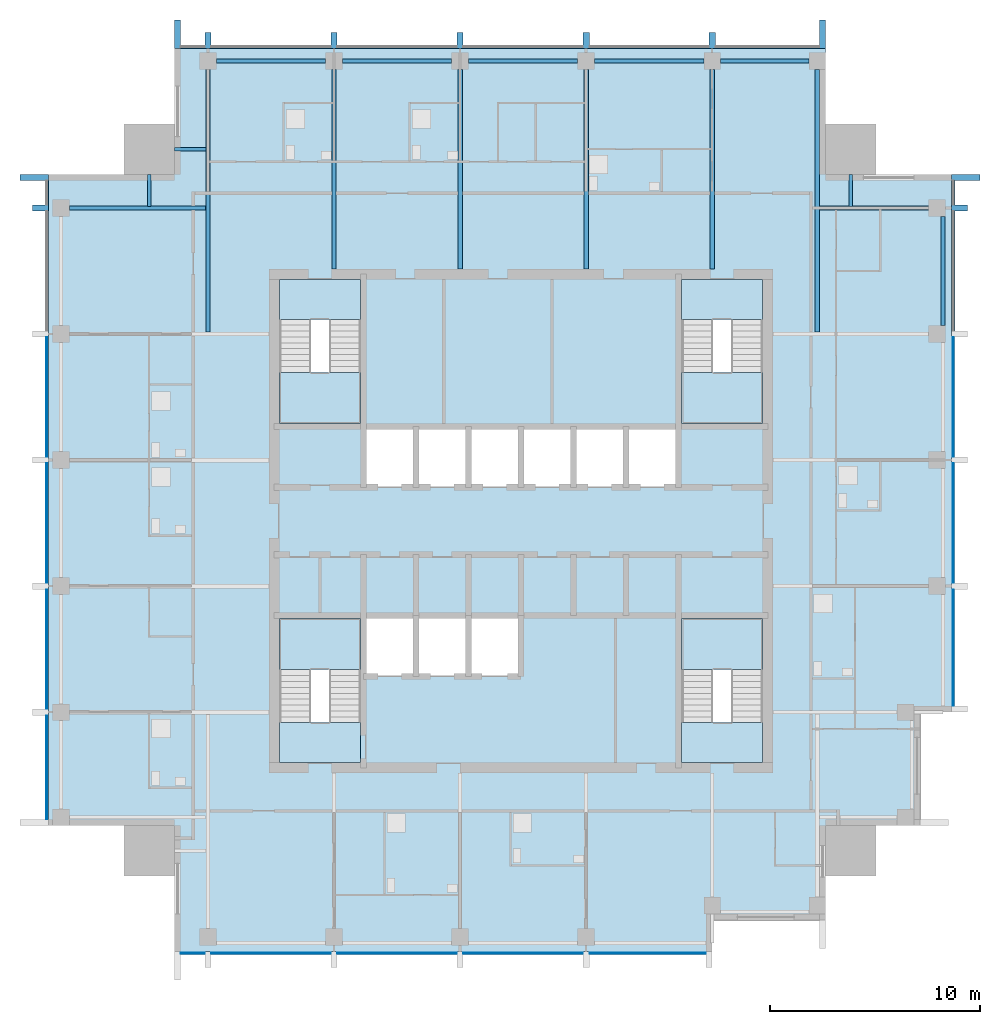
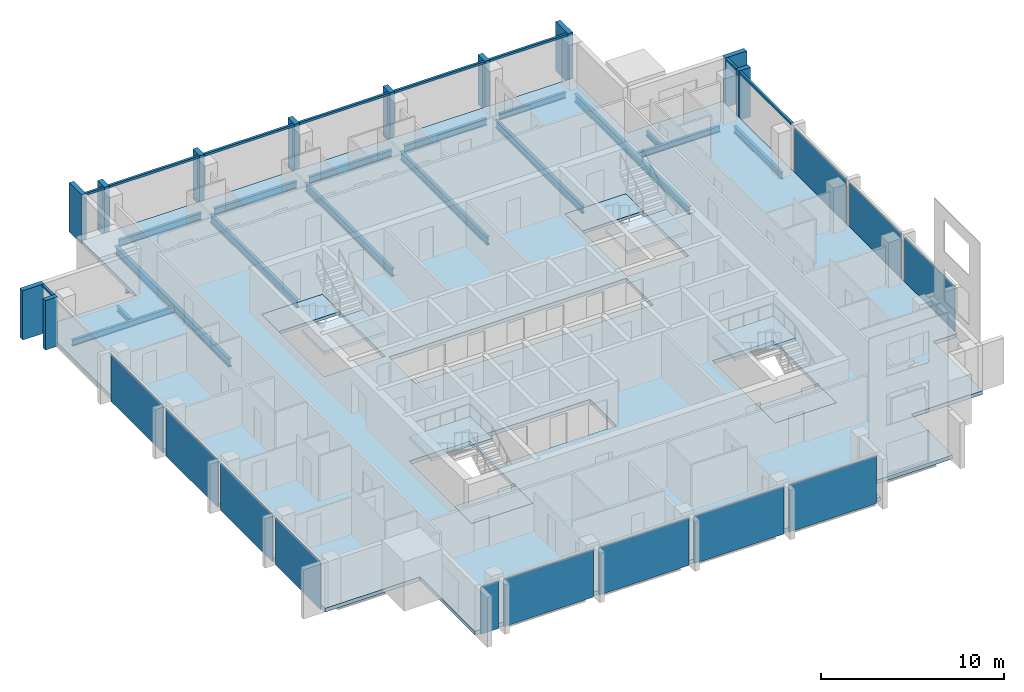
# One storey, part 2 of 9: 20 members, 17 beams, 12 plates, 9 slabs, 8 elements without a shape of their own.
"""IFC4 building model written with IfcOpenShell, lengths in metres."""

from ifc_helpers import new_model, si_unit, direction, frame, origin, origin_2d, place, context, subcontext, project, spatial, polyline, rectangle, i_section, outline, extrude, material, layer, layer_set, material_profile, profile_set, type_object, element, aggregate, save


model = new_model("IFC4")

# Units and contexts
model_context = context("Model", 3, precision=1e-05, world=origin(), true_north=direction((0.0, 1.0)))
body_context = subcontext(model_context, "Body", "Model", "MODEL_VIEW")
ifc_project = project(units=[si_unit("LENGTHUNIT", "METRE"), si_unit("AREAUNIT", "SQUARE_METRE"), si_unit("VOLUMEUNIT", "CUBIC_METRE"), si_unit("PLANEANGLEUNIT", "RADIAN"), si_unit("MASSUNIT", "GRAM", prefix="KILO")], contexts=[model_context])

# Site, building, storey
site_placement = place(None, origin())
site = spatial("IfcSite", under=ifc_project, at=site_placement, CompositionType="ELEMENT")
building_placement = place(site_placement, origin())
building = spatial("IfcBuilding", under=site, at=building_placement, Name="Amberfall Residences", CompositionType="ELEMENT")
storey_placement = place(building_placement, frame((0.0, 0.0, 248.800048828125)))
storey = spatial("IfcBuildingStorey", under=building, at=storey_placement, Name="L66", CompositionType="ELEMENT", Elevation=248.800048828125)

# Curtain wall, members
ifc_material_1 = material(Name="Bronze anodised aluminium and glass", Category="aluminium")
curtain_wall_type = type_object("IfcCurtainWallType", Name="Curtain wall CW1 tower unit", PredefinedType="USERDEFINED", material=ifc_material_1)
curtain_wall_1_placement = place(storey_placement, origin())
curtain_wall_1 = element("IfcCurtainWall", 1, at=curtain_wall_1_placement, inside=storey, type_object=curtain_wall_type, Name="Curtain wall L66 E E3", ObjectType="UNITISED CURTAIN WALL", PredefinedType="USERDEFINED")
ifc_material_2 = material(Name="Bronze anodised aluminium", Category="aluminium")
ifc_material_profile_1 = material_profile(ifc_material_2, rectangle(XDim=0.14990234375, YDim=0.14990234375, at=origin_2d()), Name="CW1 transom 150 x 150 bronze")
ifc_profile_set_1 = profile_set([ifc_material_profile_1], Name="Bronze anodised aluminium")
member_type_1 = type_object("IfcMemberType", Name="CW1 transom 150 x 150 bronze", PredefinedType="USERDEFINED", material=ifc_profile_set_1)
member_1_placement = place(storey_placement, frame((95.074951171875, 54.550048828125, 2.974853515625), z_axis=(0.0, 1.0, 0.0), x_axis=(-1.0, 0.0, 0.0)))
member_1 = element("IfcMember", 2, at=member_1_placement, type_object=member_type_1, Name="CW1 transom 4.1", ObjectType="TRANSOM", PredefinedType="USERDEFINED", context=body_context, shape_type="SweptSolid", body=[
    extrude(rectangle(XDim=0.14990234375, YDim=0.14990234375, at=origin_2d()), origin(), (0.0, 0.0, 1.0), 5.699951171875),
])
member_2_placement = place(storey_placement, frame((95.074951171875, 60.550048828125, 2.974853515625), z_axis=(0.0, 1.0, 0.0), x_axis=(-1.0, 0.0, 0.0)))
member_2 = element("IfcMember", 3, at=member_2_placement, type_object=member_type_1, Name="CW1 transom 5.1", ObjectType="TRANSOM", PredefinedType="USERDEFINED", context=body_context, shape_type="SweptSolid", body=[
    extrude(rectangle(XDim=0.14990234375, YDim=0.14990234375, at=origin_2d()), origin(), (0.0, 0.0, 1.0), 1.14990234375),
])

curtain_wall_2_placement = place(storey_placement, origin())
curtain_wall_2 = element("IfcCurtainWall", 4, at=curtain_wall_2_placement, inside=storey, type_object=curtain_wall_type, Name="Curtain wall L66 N N1", ObjectType="UNITISED CURTAIN WALL", PredefinedType="USERDEFINED")
member_3_placement = place(storey_placement, frame((88.699951171875, 68.074951171875, 2.974853515625), z_axis=(-1.0, 0.0, 0.0), x_axis=(0.0, -1.0, 0.0)))
member_3 = element("IfcMember", 5, at=member_3_placement, type_object=member_type_1, Name="CW1 transom 1.1", ObjectType="TRANSOM", PredefinedType="USERDEFINED", context=body_context, shape_type="SweptSolid", body=[
    extrude(rectangle(XDim=0.14990234375, YDim=0.14990234375, at=origin_2d()), origin(), (0.0, 0.0, 1.0), 4.949951171875),
])
member_4_placement = place(storey_placement, frame((83.449951171875, 68.074951171875, 2.974853515625), z_axis=(-1.0, 0.0, 0.0), x_axis=(0.0, -1.0, 0.0)))
member_4 = element("IfcMember", 6, at=member_4_placement, type_object=member_type_1, Name="CW1 transom 2.1", ObjectType="TRANSOM", PredefinedType="USERDEFINED", context=body_context, shape_type="SweptSolid", body=[
    extrude(rectangle(XDim=0.14990234375, YDim=0.14990234375, at=origin_2d()), origin(), (0.0, 0.0, 1.0), 5.699951171875),
])
member_5_placement = place(storey_placement, frame((77.449951171875, 68.074951171875, 2.974853515625), z_axis=(-1.0, 0.0, 0.0), x_axis=(0.0, -1.0, 0.0)))
member_5 = element("IfcMember", 7, at=member_5_placement, type_object=member_type_1, Name="CW1 transom 3.1", ObjectType="TRANSOM", PredefinedType="USERDEFINED", context=body_context, shape_type="SweptSolid", body=[
    extrude(rectangle(XDim=0.14990234375, YDim=0.14990234375, at=origin_2d()), origin(), (0.0, 0.0, 1.0), 5.699951171875),
])
member_6_placement = place(storey_placement, frame((71.449951171875, 68.074951171875, 2.974853515625), z_axis=(-1.0, 0.0, 0.0), x_axis=(0.0, -1.0, 0.0)))
member_6 = element("IfcMember", 8, at=member_6_placement, type_object=member_type_1, Name="CW1 transom 4.1", ObjectType="TRANSOM", PredefinedType="USERDEFINED", context=body_context, shape_type="SweptSolid", body=[
    extrude(rectangle(XDim=0.14990234375, YDim=0.14990234375, at=origin_2d()), origin(), (0.0, 0.0, 1.0), 5.699951171875),
])
member_7_placement = place(storey_placement, frame((65.449951171875, 68.074951171875, 2.974853515625), z_axis=(-1.0, 0.0, 0.0), x_axis=(0.0, -1.0, 0.0)))
member_7 = element("IfcMember", 9, at=member_7_placement, type_object=member_type_1, Name="CW1 transom 5.1", ObjectType="TRANSOM", PredefinedType="USERDEFINED", context=body_context, shape_type="SweptSolid", body=[
    extrude(rectangle(XDim=0.14990234375, YDim=0.14990234375, at=origin_2d()), origin(), (0.0, 0.0, 1.0), 5.699951171875),
])
member_8_placement = place(storey_placement, frame((59.449951171875, 68.074951171875, 2.974853515625), z_axis=(-1.0, 0.0, 0.0), x_axis=(0.0, -1.0, 0.0)))
member_8 = element("IfcMember", 10, at=member_8_placement, type_object=member_type_1, Name="CW1 transom 6.1", ObjectType="TRANSOM", PredefinedType="USERDEFINED", context=body_context, shape_type="SweptSolid", body=[
    extrude(rectangle(XDim=0.14990234375, YDim=0.14990234375, at=origin_2d()), origin(), (0.0, 0.0, 1.0), 1.14990234375),
])

# Curtain wall, member
curtain_wall_3_placement = place(storey_placement, origin())
curtain_wall_3 = element("IfcCurtainWall", 11, at=curtain_wall_3_placement, inside=storey, type_object=curtain_wall_type, Name="Curtain wall L66 W W1", ObjectType="UNITISED CURTAIN WALL", PredefinedType="USERDEFINED")
member_9_placement = place(storey_placement, frame((51.925048828125, 61.699951171875, 2.974853515625), z_axis=(0.0, -1.0, 0.0), x_axis=(1.0, 0.0, 0.0)))
member_9 = element("IfcMember", 12, at=member_9_placement, type_object=member_type_1, Name="CW1 transom 1.1", ObjectType="TRANSOM", PredefinedType="USERDEFINED", context=body_context, shape_type="SweptSolid", body=[
    extrude(rectangle(XDim=0.14990234375, YDim=0.14990234375, at=origin_2d()), origin(), (0.0, 0.0, 1.0), 1.14990234375),
])

# Member
ifc_material_profile_2 = material_profile(ifc_material_2, rectangle(XDim=1.35009765625, YDim=0.300048828125, at=origin_2d()), Name="Corner fin 300 x 1350 bronze")
ifc_profile_set_2 = profile_set([ifc_material_profile_2], Name="Bronze anodised aluminium")
member_type_2 = type_object("IfcMemberType", Name="Corner fin 300 x 1350 bronze", PredefinedType="MULLION", material=ifc_profile_set_2)
member_10_placement = place(storey_placement, frame((95.675048828125, 61.85009765625, -0.25), z_axis=(0.0, 0.0, 1.0), x_axis=(-1.0, 0.0, 0.0)))
member_10 = element("IfcMember", 13, at=member_10_placement, type_object=member_type_2, Name="CW FIN 6", PredefinedType="MULLION", context=body_context, shape_type="SweptSolid", body=[
    extrude(rectangle(XDim=1.35009765625, YDim=0.300048828125, at=origin_2d()), origin(), (0.0, 0.0, 1.0), 3.300048828125),
])

member_11_placement = place(storey_placement, frame((88.85009765625, 68.675048828125, -0.25), z_axis=(0.0, 0.0, 1.0), x_axis=(0.0, -1.0, 0.0)))
member_11 = element("IfcMember", 14, at=member_11_placement, type_object=member_type_2, Name="CW FIN 1", PredefinedType="MULLION", context=body_context, shape_type="SweptSolid", body=[
    extrude(rectangle(XDim=1.35009765625, YDim=0.300048828125, at=origin_2d()), origin(), (0.0, 0.0, 1.0), 3.300048828125),
])

member_12_placement = place(storey_placement, frame((58.14990234375, 68.675048828125, -0.25), z_axis=(0.0, 0.0, 1.0), x_axis=(0.0, -1.0, 0.0)))
member_12 = element("IfcMember", 15, at=member_12_placement, type_object=member_type_2, Name="CW FIN 7", PredefinedType="MULLION", context=body_context, shape_type="SweptSolid", body=[
    extrude(rectangle(XDim=1.35009765625, YDim=0.300048828125, at=origin_2d()), origin(), (0.0, 0.0, 1.0), 3.300048828125),
])

member_13_placement = place(storey_placement, frame((51.324951171875, 61.85009765625, -0.25), z_axis=(0.0, 0.0, 1.0), x_axis=(1.0, 0.0, 0.0)))
member_13 = element("IfcMember", 16, at=member_13_placement, type_object=member_type_2, Name="CW FIN 1", PredefinedType="MULLION", context=body_context, shape_type="SweptSolid", body=[
    extrude(rectangle(XDim=1.35009765625, YDim=0.300048828125, at=origin_2d()), origin(), (0.0, 0.0, 1.0), 3.300048828125),
])

# Beams
ifc_material_3 = material(Name="Steel S355", Category="steel")
ifc_material_profile_3 = material_profile(ifc_material_3, i_section(OverallWidth=0.177734375, OverallDepth=0.402587890625, WebThickness=0.0078125, FlangeThickness=0.010986328125, FilletRadius=0.01025390625, at=origin_2d()), Name="UB 406x178x54")
ifc_profile_set_3 = profile_set([ifc_material_profile_3], Name="Steel S355")
beam_type_1 = type_object("IfcBeamType", Name="Edge beam UB 406x178x54", PredefinedType="SPANDREL", material=ifc_profile_set_3)
beam_1_placement = place(storey_placement, frame((84.0, 67.39990234375, -0.451416015625), z_axis=(1.0, 0.0, 0.0), x_axis=(0.0, 1.0, 0.0)))
element("IfcBeam", 17, at=beam_1_placement, inside=storey, type_object=beam_type_1, Name="Edge beam B14 L66 29", PredefinedType="SPANDREL", context=body_context, shape_type="SweptSolid", body=[
    extrude(i_section(OverallWidth=0.177734375, OverallDepth=0.402587890625, WebThickness=0.0078125, FlangeThickness=0.010986328125, FilletRadius=0.01025390625, at=origin_2d()), origin(), (0.0, 0.0, 1.0), 4.199951171875),
])
ifc_material_profile_4 = material_profile(ifc_material_3, i_section(OverallWidth=0.18994140625, OverallDepth=0.453369140625, WebThickness=0.008544921875, FlangeThickness=0.0126953125, FilletRadius=0.01025390625, at=origin_2d()), Name="UB 457x191x67")
ifc_profile_set_4 = profile_set([ifc_material_profile_4], Name="Steel S355")
beam_type_2 = type_object("IfcBeamType", Name="Edge beam UB 457x191x67", PredefinedType="SPANDREL", material=ifc_profile_set_4)
for number, where, z_axis, x_axis, name in (
    (18, (94.60009765625, 54.800048828125, -0.476806640625), (0.0, 1.0, 0.0), (-1.0, 0.0, 0.0), "Edge beam B1 L66 17"),
    (19, (60.0, 67.39990234375, -0.476806640625), (1.0, 0.0, 0.0), (0.0, 1.0, 0.0), "Edge beam B1 L66 25"),
    (20, (66.0, 67.39990234375, -0.476806640625), (1.0, 0.0, 0.0), (0.0, 1.0, 0.0), "Edge beam B1 L66 26"),
    (21, (72.0, 67.39990234375, -0.476806640625), (1.0, 0.0, 0.0), (0.0, 1.0, 0.0), "Edge beam B1 L66 27"),
    (22, (78.0, 67.39990234375, -0.476806640625), (1.0, 0.0, 0.0), (0.0, 1.0, 0.0), "Edge beam B1 L66 28"),
):
    element("IfcBeam", number, at=place(storey_placement, frame(where, z_axis=z_axis, x_axis=x_axis)), inside=storey, type_object=beam_type_2, Name=name, PredefinedType="SPANDREL", context=body_context, shape_type="SweptSolid", body=[
        extrude(i_section(OverallWidth=0.18994140625, OverallDepth=0.453369140625, WebThickness=0.008544921875, FlangeThickness=0.0126953125, FilletRadius=0.01025390625, at=origin_2d()), origin(), (0.0, 0.0, 1.0), 5.199951171875),
    ])

# Member
ifc_material_profile_5 = material_profile(ifc_material_2, rectangle(XDim=0.75, YDim=0.300048828125, at=origin_2d()), Name="Fin 300 x 750 bronze")
ifc_profile_set_5 = profile_set([ifc_material_profile_5], Name="Bronze anodised aluminium")
member_type_3 = type_object("IfcMemberType", Name="Fin 300 x 750 bronze", PredefinedType="MULLION", material=ifc_profile_set_5)
member_14_placement = place(storey_placement, frame((95.375, 60.39990234375, -0.25), z_axis=(0.0, 0.0, 1.0), x_axis=(-1.0, 0.0, 0.0)))
member_14 = element("IfcMember", 23, at=member_14_placement, type_object=member_type_3, Name="CW FIN 5", PredefinedType="MULLION", context=body_context, shape_type="SweptSolid", body=[
    extrude(rectangle(XDim=0.75, YDim=0.300048828125, at=origin_2d()), origin(), (0.0, 0.0, 1.0), 3.300048828125),
])

member_15_placement = place(storey_placement, frame((83.60009765625, 68.375, -0.25), z_axis=(0.0, 0.0, 1.0), x_axis=(0.0, -1.0, 0.0)))
member_15 = element("IfcMember", 24, at=member_15_placement, type_object=member_type_3, Name="CW FIN 2", PredefinedType="MULLION", context=body_context, shape_type="SweptSolid", body=[
    extrude(rectangle(XDim=0.75, YDim=0.300048828125, at=origin_2d()), origin(), (0.0, 0.0, 1.0), 3.300048828125),
])

member_16_placement = place(storey_placement, frame((77.60009765625, 68.375, -0.25), z_axis=(0.0, 0.0, 1.0), x_axis=(0.0, -1.0, 0.0)))
member_16 = element("IfcMember", 25, at=member_16_placement, type_object=member_type_3, Name="CW FIN 3", PredefinedType="MULLION", context=body_context, shape_type="SweptSolid", body=[
    extrude(rectangle(XDim=0.75, YDim=0.300048828125, at=origin_2d()), origin(), (0.0, 0.0, 1.0), 3.300048828125),
])

member_17_placement = place(storey_placement, frame((71.60009765625, 68.375, -0.25), z_axis=(0.0, 0.0, 1.0), x_axis=(0.0, -1.0, 0.0)))
member_17 = element("IfcMember", 26, at=member_17_placement, type_object=member_type_3, Name="CW FIN 4", PredefinedType="MULLION", context=body_context, shape_type="SweptSolid", body=[
    extrude(rectangle(XDim=0.75, YDim=0.300048828125, at=origin_2d()), origin(), (0.0, 0.0, 1.0), 3.300048828125),
])

member_18_placement = place(storey_placement, frame((65.60009765625, 68.375, -0.25), z_axis=(0.0, 0.0, 1.0), x_axis=(0.0, -1.0, 0.0)))
member_18 = element("IfcMember", 27, at=member_18_placement, type_object=member_type_3, Name="CW FIN 5", PredefinedType="MULLION", context=body_context, shape_type="SweptSolid", body=[
    extrude(rectangle(XDim=0.75, YDim=0.300048828125, at=origin_2d()), origin(), (0.0, 0.0, 1.0), 3.300048828125),
])

member_19_placement = place(storey_placement, frame((59.60009765625, 68.375, -0.25), z_axis=(0.0, 0.0, 1.0), x_axis=(0.0, -1.0, 0.0)))
member_19 = element("IfcMember", 28, at=member_19_placement, type_object=member_type_3, Name="CW FIN 6", PredefinedType="MULLION", context=body_context, shape_type="SweptSolid", body=[
    extrude(rectangle(XDim=0.75, YDim=0.300048828125, at=origin_2d()), origin(), (0.0, 0.0, 1.0), 3.300048828125),
])

aggregate(curtain_wall_2, [member_11, member_15, member_16, member_17, member_18, member_19, member_12, member_3, member_4, member_5, member_6, member_7, member_8])

member_20_placement = place(storey_placement, frame((51.625, 60.39990234375, -0.25), z_axis=(0.0, 0.0, 1.0), x_axis=(1.0, 0.0, 0.0)))
member_20 = element("IfcMember", 29, at=member_20_placement, type_object=member_type_3, Name="CW FIN 2", PredefinedType="MULLION", context=body_context, shape_type="SweptSolid", body=[
    extrude(rectangle(XDim=0.75, YDim=0.300048828125, at=origin_2d()), origin(), (0.0, 0.0, 1.0), 3.300048828125),
])

# Beams
ifc_material_profile_6 = material_profile(ifc_material_3, i_section(OverallWidth=0.177734375, OverallDepth=0.402587890625, WebThickness=0.0078125, FlangeThickness=0.010986328125, FilletRadius=0.01025390625, at=origin_2d()), Name="UB 406x178x54")
ifc_profile_set_6 = profile_set([ifc_material_profile_6], Name="Steel S355")
beam_type_3 = type_object("IfcBeamType", Name="Floor girder UB 406x178x54", PredefinedType="BEAM", material=ifc_profile_set_6)
beam_2_placement = place(storey_placement, frame((93.89990234375, 60.39990234375, -0.451416015625), z_axis=(-1.0, 0.0, 0.0), x_axis=(0.0, -1.0, 0.0)))
element("IfcBeam", 30, at=beam_2_placement, inside=storey, type_object=beam_type_3, Name="Floor girder B4 L66 24", PredefinedType="BEAM", context=body_context, shape_type="SweptSolid", body=[
    extrude(i_section(OverallWidth=0.177734375, OverallDepth=0.402587890625, WebThickness=0.0078125, FlangeThickness=0.010986328125, FilletRadius=0.01025390625, at=origin_2d()), origin(), (0.0, 0.0, 1.0), 5.179931640625),
])
beam_3_placement = place(storey_placement, frame((53.0, 60.39990234375, -0.451416015625), z_axis=(1.0, 0.0, 0.0), x_axis=(0.0, 1.0, 0.0)))
element("IfcBeam", 31, at=beam_3_placement, inside=storey, type_object=beam_type_3, Name="Floor girder B4 L66 46", PredefinedType="BEAM", context=body_context, shape_type="SweptSolid", body=[
    extrude(i_section(OverallWidth=0.177734375, OverallDepth=0.402587890625, WebThickness=0.0078125, FlangeThickness=0.010986328125, FilletRadius=0.01025390625, at=origin_2d()), origin(), (0.0, 0.0, 1.0), 6.47998046875),
])
ifc_material_profile_7 = material_profile(ifc_material_3, i_section(OverallWidth=0.210693359375, OverallDepth=0.53955078125, WebThickness=0.01171875, FlangeThickness=0.018798828125, FilletRadius=0.0126953125, at=origin_2d()), Name="UB 533x210x109")
ifc_profile_set_7 = profile_set([ifc_material_profile_7], Name="Steel S355")
beam_type_4 = type_object("IfcBeamType", Name="Floor girder UB 533x210x109", PredefinedType="BEAM", material=ifc_profile_set_7)
beam_4_placement = place(storey_placement, frame((59.60009765625, 67.0, -0.519775390625), z_axis=(0.0, -1.0, 0.0), x_axis=(1.0, 0.0, 0.0)))
element("IfcBeam", 32, at=beam_4_placement, inside=storey, type_object=beam_type_4, Name="Floor girder B2 L66 30", PredefinedType="BEAM", context=body_context, shape_type="SweptSolid", body=[
    extrude(i_section(OverallWidth=0.210693359375, OverallDepth=0.53955078125, WebThickness=0.01171875, FlangeThickness=0.018798828125, FilletRadius=0.0126953125, at=origin_2d()), origin(), (0.0, 0.0, 1.0), 12.50048828125),
])
beam_5_placement = place(storey_placement, frame((88.60009765625, 67.0, -0.519775390625), z_axis=(0.0, -1.0, 0.0), x_axis=(1.0, 0.0, 0.0)))
element("IfcBeam", 33, at=beam_5_placement, inside=storey, type_object=beam_type_4, Name="Floor girder B2 L66 35", PredefinedType="BEAM", context=body_context, shape_type="SweptSolid", body=[
    extrude(i_section(OverallWidth=0.210693359375, OverallDepth=0.53955078125, WebThickness=0.01171875, FlangeThickness=0.018798828125, FilletRadius=0.0126953125, at=origin_2d()), origin(), (0.0, 0.0, 1.0), 12.509521484375),
])
ifc_material_profile_8 = material_profile(ifc_material_3, i_section(OverallWidth=0.209228515625, OverallDepth=0.533203125, WebThickness=0.010009765625, FlangeThickness=0.015625, FilletRadius=0.0126953125, at=origin_2d()), Name="UB 533x210x92")
ifc_profile_set_8 = profile_set([ifc_material_profile_8], Name="Steel S355")
beam_type_5 = type_object("IfcBeamType", Name="Floor girder UB 533x210x92", PredefinedType="BEAM", material=ifc_profile_set_8)
for number, where, z_axis, x_axis, name in (
    (34, (65.60009765625, 67.0, -0.5166015625), (0.0, -1.0, 0.0), (1.0, 0.0, 0.0), "Floor girder B3 L66 31"),
    (35, (71.60009765625, 67.0, -0.5166015625), (0.0, -1.0, 0.0), (1.0, 0.0, 0.0), "Floor girder B3 L66 32"),
    (36, (77.60009765625, 67.0, -0.5166015625), (0.0, -1.0, 0.0), (1.0, 0.0, 0.0), "Floor girder B3 L66 33"),
    (37, (83.60009765625, 67.0, -0.5166015625), (0.0, -1.0, 0.0), (1.0, 0.0, 0.0), "Floor girder B3 L66 34"),
):
    element("IfcBeam", number, at=place(storey_placement, frame(where, z_axis=z_axis, x_axis=x_axis)), inside=storey, type_object=beam_type_5, Name=name, PredefinedType="BEAM", context=body_context, shape_type="SweptSolid", body=[
        extrude(i_section(OverallWidth=0.209228515625, OverallDepth=0.533203125, WebThickness=0.010009765625, FlangeThickness=0.015625, FilletRadius=0.0126953125, at=origin_2d()), origin(), (0.0, 0.0, 1.0), 9.5),
    ])
ifc_material_profile_9 = material_profile(ifc_material_3, i_section(OverallWidth=0.171142578125, OverallDepth=0.351318359375, WebThickness=0.007080078125, FlangeThickness=0.009765625, FilletRadius=0.01025390625, at=origin_2d()), Name="UB 356x171x45")
ifc_profile_set_9 = profile_set([ifc_material_profile_9], Name="Steel S355")
beam_type_6 = type_object("IfcBeamType", Name="Link beam UB 356x171x45", PredefinedType="BEAM", material=ifc_profile_set_9)
beam_6_placement = place(storey_placement, frame((90.199951171875, 62.0, -0.42578125), z_axis=(0.0, -1.0, 0.0), x_axis=(1.0, 0.0, 0.0)))
element("IfcBeam", 38, at=beam_6_placement, inside=storey, type_object=beam_type_6, Name="Link beam B7 L66 48", PredefinedType="BEAM", context=body_context, shape_type="SweptSolid", body=[
    extrude(i_section(OverallWidth=0.171142578125, OverallDepth=0.351318359375, WebThickness=0.007080078125, FlangeThickness=0.009765625, FilletRadius=0.01025390625, at=origin_2d()), origin(), (0.0, 0.0, 1.0), 1.52099609375),
])
beam_7_placement = place(storey_placement, frame((58.0, 63.199951171875, -0.42578125), z_axis=(1.0, 0.0, 0.0), x_axis=(0.0, 1.0, 0.0)))
element("IfcBeam", 39, at=beam_7_placement, inside=storey, type_object=beam_type_6, Name="Link beam B7 L66 49", PredefinedType="BEAM", context=body_context, shape_type="SweptSolid", body=[
    extrude(i_section(OverallWidth=0.171142578125, OverallDepth=0.351318359375, WebThickness=0.007080078125, FlangeThickness=0.009765625, FilletRadius=0.01025390625, at=origin_2d()), origin(), (0.0, 0.0, 1.0), 1.504638671875),
])
beam_8_placement = place(storey_placement, frame((56.800048828125, 62.0, -0.42578125), z_axis=(0.0, -1.0, 0.0), x_axis=(1.0, 0.0, 0.0)))
element("IfcBeam", 40, at=beam_8_placement, inside=storey, type_object=beam_type_6, Name="Link beam B7 L66 50", PredefinedType="BEAM", context=body_context, shape_type="SweptSolid", body=[
    extrude(i_section(OverallWidth=0.171142578125, OverallDepth=0.351318359375, WebThickness=0.007080078125, FlangeThickness=0.009765625, FilletRadius=0.01025390625, at=origin_2d()), origin(), (0.0, 0.0, 1.0), 1.52099609375),
])

# Curtain wall, plates
curtain_wall_4_placement = place(storey_placement, origin())
curtain_wall_4 = element("IfcCurtainWall", 41, at=curtain_wall_4_placement, inside=storey, type_object=curtain_wall_type, Name="Curtain wall L66 S S1", ObjectType="UNITISED CURTAIN WALL", PredefinedType="USERDEFINED")
ifc_material_4 = material(Name="Tinted double glazed unit", Category="glass")
ifc_layer_1 = layer(ifc_material_4, 0.035888671875)
ifc_layer_set_1 = layer_set([ifc_layer_1], Name="CW1 panel 36 glazing")
plate_type = type_object("IfcPlateType", Name="CW1 panel 36 glazing", PredefinedType="CURTAIN_PANEL", material=ifc_layer_set_1)
plate_1_placement = place(storey_placement, frame((58.875, 24.925048828125, -0.25), z_axis=(0.0, 0.0, 1.0), x_axis=(1.0, 0.0, 0.0)))
plate_1 = element("IfcPlate", 42, at=plate_1_placement, type_object=plate_type, Name="CW1 panel 1.1", PredefinedType="CURTAIN_PANEL", context=body_context, shape_type="SweptSolid", body=[
    extrude(rectangle(XDim=1.1259765625, YDim=0.035888671875, at=origin_2d()), origin(), (0.0, 0.0, 1.0), 3.14990234375),
])
plate_2_placement = place(storey_placement, frame((62.60009765625, 24.925048828125, -0.25), z_axis=(0.0, 0.0, 1.0), x_axis=(1.0, 0.0, 0.0)))
plate_2 = element("IfcPlate", 43, at=plate_2_placement, type_object=plate_type, Name="CW1 panel 2.1", PredefinedType="CURTAIN_PANEL", context=body_context, shape_type="SweptSolid", body=[
    extrude(rectangle(XDim=5.676025390625, YDim=0.035888671875, at=origin_2d()), origin(), (0.0, 0.0, 1.0), 3.14990234375),
])
plate_3_placement = place(storey_placement, frame((68.60009765625, 24.925048828125, -0.25), z_axis=(0.0, 0.0, 1.0), x_axis=(1.0, 0.0, 0.0)))
plate_3 = element("IfcPlate", 44, at=plate_3_placement, type_object=plate_type, Name="CW1 panel 3.1", PredefinedType="CURTAIN_PANEL", context=body_context, shape_type="SweptSolid", body=[
    extrude(rectangle(XDim=5.676025390625, YDim=0.035888671875, at=origin_2d()), origin(), (0.0, 0.0, 1.0), 3.14990234375),
])
plate_4_placement = place(storey_placement, frame((74.60009765625, 24.925048828125, -0.25), z_axis=(0.0, 0.0, 1.0), x_axis=(1.0, 0.0, 0.0)))
plate_4 = element("IfcPlate", 45, at=plate_4_placement, type_object=plate_type, Name="CW1 panel 4.1", PredefinedType="CURTAIN_PANEL", context=body_context, shape_type="SweptSolid", body=[
    extrude(rectangle(XDim=5.676025390625, YDim=0.035888671875, at=origin_2d()), origin(), (0.0, 0.0, 1.0), 3.14990234375),
])
plate_5_placement = place(storey_placement, frame((80.52490234375, 24.925048828125, -0.25), z_axis=(0.0, 0.0, 1.0), x_axis=(1.0, 0.0, 0.0)))
plate_5 = element("IfcPlate", 46, at=plate_5_placement, type_object=plate_type, Name="CW1 panel 5.1", PredefinedType="CURTAIN_PANEL", context=body_context, shape_type="SweptSolid", body=[
    extrude(rectangle(XDim=5.52587890625, YDim=0.035888671875, at=origin_2d()), origin(), (0.0, 0.0, 1.0), 3.14990234375),
])
aggregate(curtain_wall_4, [plate_1, plate_2, plate_3, plate_4, plate_5])

# Plate
plate_6_placement = place(storey_placement, frame((95.074951171875, 39.47509765625, -0.25), z_axis=(0.0, 0.0, 1.0), x_axis=(0.0, 1.0, 0.0)))
plate_6 = element("IfcPlate", 47, at=plate_6_placement, type_object=plate_type, Name="CW1 panel 1.1", PredefinedType="CURTAIN_PANEL", context=body_context, shape_type="SweptSolid", body=[
    extrude(rectangle(XDim=5.52587890625, YDim=0.035888671875, at=origin_2d()), origin(), (0.0, 0.0, 1.0), 3.14990234375),
])

plate_7_placement = place(storey_placement, frame((95.074951171875, 45.39990234375, -0.25), z_axis=(0.0, 0.0, 1.0), x_axis=(0.0, 1.0, 0.0)))
plate_7 = element("IfcPlate", 48, at=plate_7_placement, type_object=plate_type, Name="CW1 panel 2.1", PredefinedType="CURTAIN_PANEL", context=body_context, shape_type="SweptSolid", body=[
    extrude(rectangle(XDim=5.676025390625, YDim=0.035888671875, at=origin_2d()), origin(), (0.0, 0.0, 1.0), 3.14990234375),
])

plate_8_placement = place(storey_placement, frame((95.074951171875, 51.39990234375, -0.25), z_axis=(0.0, 0.0, 1.0), x_axis=(0.0, 1.0, 0.0)))
plate_8 = element("IfcPlate", 49, at=plate_8_placement, type_object=plate_type, Name="CW1 panel 3.1", PredefinedType="CURTAIN_PANEL", context=body_context, shape_type="SweptSolid", body=[
    extrude(rectangle(XDim=5.676025390625, YDim=0.035888671875, at=origin_2d()), origin(), (0.0, 0.0, 1.0), 3.14990234375),
])

aggregate(curtain_wall_1, [member_14, member_10, plate_6, plate_7, plate_8, member_1, member_2])

plate_9_placement = place(storey_placement, frame((51.925048828125, 51.39990234375, -0.25), z_axis=(0.0, 0.0, 1.0), x_axis=(0.0, -1.0, 0.0)))
plate_9 = element("IfcPlate", 50, at=plate_9_placement, type_object=plate_type, Name="CW1 panel 3.1", PredefinedType="CURTAIN_PANEL", context=body_context, shape_type="SweptSolid", body=[
    extrude(rectangle(XDim=5.676025390625, YDim=0.035888671875, at=origin_2d()), origin(), (0.0, 0.0, 1.0), 3.14990234375),
])

plate_10_placement = place(storey_placement, frame((51.925048828125, 45.39990234375, -0.25), z_axis=(0.0, 0.0, 1.0), x_axis=(0.0, -1.0, 0.0)))
plate_10 = element("IfcPlate", 51, at=plate_10_placement, type_object=plate_type, Name="CW1 panel 4.1", PredefinedType="CURTAIN_PANEL", context=body_context, shape_type="SweptSolid", body=[
    extrude(rectangle(XDim=5.676025390625, YDim=0.035888671875, at=origin_2d()), origin(), (0.0, 0.0, 1.0), 3.14990234375),
])

plate_11_placement = place(storey_placement, frame((51.925048828125, 39.39990234375, -0.25), z_axis=(0.0, 0.0, 1.0), x_axis=(0.0, -1.0, 0.0)))
plate_11 = element("IfcPlate", 52, at=plate_11_placement, type_object=plate_type, Name="CW1 panel 5.1", PredefinedType="CURTAIN_PANEL", context=body_context, shape_type="SweptSolid", body=[
    extrude(rectangle(XDim=5.676025390625, YDim=0.035888671875, at=origin_2d()), origin(), (0.0, 0.0, 1.0), 3.14990234375),
])

plate_12_placement = place(storey_placement, frame((51.925048828125, 33.77490234375, -0.25), z_axis=(0.0, 0.0, 1.0), x_axis=(0.0, -1.0, 0.0)))
plate_12 = element("IfcPlate", 53, at=plate_12_placement, type_object=plate_type, Name="CW1 panel 6.1", PredefinedType="CURTAIN_PANEL", context=body_context, shape_type="SweptSolid", body=[
    extrude(rectangle(XDim=4.926025390625, YDim=0.035888671875, at=origin_2d()), origin(), (0.0, 0.0, 1.0), 3.14990234375),
])

aggregate(curtain_wall_3, [member_13, member_20, member_9, plate_9, plate_10, plate_11, plate_12])

# Slab
ifc_material_5 = material(Name="Concrete C50", Category="concrete")
ifc_layer_2 = layer(ifc_material_5, 0.25)
ifc_layer_set_2 = layer_set([ifc_layer_2], Name="Floor slab 250 C50")
slab_type_1 = type_object("IfcSlabType", Name="Floor slab 250 C50", PredefinedType="FLOOR", material=ifc_layer_set_2)
slab_1_placement = place(storey_placement, frame((0.0, 0.0, -0.25)))
element("IfcSlab", 54, at=slab_1_placement, inside=storey, type_object=slab_type_1, Name="Floor slab S19 L66", PredefinedType="FLOOR", context=body_context, shape_type="SweptSolid", body=[
    extrude(outline(polyline([(83.60009765625, 26.5), (83.60009765625, 25.0), (58.0, 25.0), (58.0, 31.0), (52.0, 31.0), (52.0, 62.0), (58.0, 62.0), (58.0, 68.0), (89.0, 68.0), (89.0, 62.0), (95.0, 62.0), (95.0, 36.39990234375), (93.5, 36.39990234375), (93.5, 31.0), (89.0, 31.0), (89.0, 26.5), (83.60009765625, 26.5)]), holes=[polyline([(86.0, 34.0), (86.0, 40.85009765625), (82.14990234375, 40.85009765625), (82.14990234375, 34.0), (86.0, 34.0)]), polyline([(86.0, 50.14990234375), (86.0, 57.0), (82.14990234375, 57.0), (82.14990234375, 50.14990234375), (86.0, 50.14990234375)]), polyline([(67.0, 50.0), (67.0, 47.10009765625), (69.5, 47.10009765625), (72.0, 47.10009765625), (74.5, 47.10009765625), (77.0, 47.10009765625), (79.5, 47.10009765625), (82.0, 47.10009765625), (82.0, 50.0), (79.5, 50.0), (77.0, 50.0), (74.5, 50.0), (72.0, 50.0), (69.5, 50.0), (67.0, 50.0)]), polyline([(69.5, 41.0), (67.0, 41.0), (67.0, 38.10009765625), (69.5, 38.10009765625), (72.0, 38.10009765625), (74.5, 38.10009765625), (74.5, 41.0), (72.0, 41.0), (69.5, 41.0)]), polyline([(66.85009765625, 40.85009765625), (63.0, 40.85009765625), (63.0, 34.0), (66.85009765625, 34.0), (66.85009765625, 40.85009765625)]), polyline([(66.85009765625, 57.0), (63.0, 57.0), (63.0, 50.14990234375), (66.85009765625, 50.14990234375), (66.85009765625, 57.0)])]), origin(), (0.0, 0.0, 1.0), 0.25),
])

# Stair, slabs
ifc_material_6 = material(Name="Concrete C40", Category="concrete")
stair_type = type_object("IfcStairType", Name="Exit stair 20 risers 165.0 mm", PredefinedType="HALF_TURN_STAIR", material=ifc_material_6)
stair_1_placement = place(storey_placement, origin())
stair_1 = element("IfcStair", 55, at=stair_1_placement, inside=storey, type_object=stair_type, Name="L66 Exit stair 1", PredefinedType="HALF_TURN_STAIR")
ifc_layer_3 = layer(ifc_material_6, 0.199951171875)
ifc_layer_set_3 = layer_set([ifc_layer_3], Name="Stair landing 200")
slab_type_2 = type_object("IfcSlabType", Name="Stair landing 200", PredefinedType="LANDING", material=ifc_layer_set_3)
slab_2_placement = place(storey_placement, frame((0.0, 0.0, 1.449951171875)))
slab_2 = element("IfcSlab", 56, at=slab_2_placement, type_object=slab_type_2, Name="ST3 landing 1", PredefinedType="LANDING", context=body_context, shape_type="SweptSolid", body=[
    extrude(outline(polyline([(66.85009765625, 38.419921875), (66.85009765625, 40.85009765625), (63.0, 40.85009765625), (63.0, 38.419921875), (66.85009765625, 38.419921875)])), origin(), (0.0, 0.0, 1.0), 0.199951171875),
])
slab_3_placement = place(storey_placement, frame((0.0, 0.0, -0.199951171875)))
slab_3 = element("IfcSlab", 57, at=slab_3_placement, type_object=slab_type_2, Name="ST3 landing 2", PredefinedType="LANDING", context=body_context, shape_type="SweptSolid", body=[
    extrude(outline(polyline([(66.85009765625, 34.0), (66.85009765625, 35.89990234375), (63.0, 35.89990234375), (63.0, 34.0), (66.85009765625, 34.0)])), origin(), (0.0, 0.0, 1.0), 0.199951171875),
])
aggregate(stair_1, [slab_2, slab_3])

stair_2_placement = place(storey_placement, origin())
stair_2 = element("IfcStair", 58, at=stair_2_placement, inside=storey, type_object=stair_type, Name="L66 Exit stair 2", PredefinedType="HALF_TURN_STAIR")
slab_4_placement = place(storey_placement, frame((0.0, 0.0, 1.449951171875)))
slab_4 = element("IfcSlab", 59, at=slab_4_placement, type_object=slab_type_2, Name="ST3 landing 1", PredefinedType="LANDING", context=body_context, shape_type="SweptSolid", body=[
    extrude(outline(polyline([(86.0, 38.419921875), (86.0, 40.85009765625), (82.14990234375, 40.85009765625), (82.14990234375, 38.419921875), (86.0, 38.419921875)])), origin(), (0.0, 0.0, 1.0), 0.199951171875),
])
slab_5_placement = place(storey_placement, frame((0.0, 0.0, -0.199951171875)))
slab_5 = element("IfcSlab", 60, at=slab_5_placement, type_object=slab_type_2, Name="ST3 landing 2", PredefinedType="LANDING", context=body_context, shape_type="SweptSolid", body=[
    extrude(outline(polyline([(86.0, 34.0), (86.0, 35.89990234375), (82.14990234375, 35.89990234375), (82.14990234375, 34.0), (86.0, 34.0)])), origin(), (0.0, 0.0, 1.0), 0.199951171875),
])
aggregate(stair_2, [slab_4, slab_5])

stair_3_placement = place(storey_placement, origin())
stair_3 = element("IfcStair", 61, at=stair_3_placement, inside=storey, type_object=stair_type, Name="L66 Exit stair 3", PredefinedType="HALF_TURN_STAIR")
slab_6_placement = place(storey_placement, frame((0.0, 0.0, 1.449951171875)))
slab_6 = element("IfcSlab", 62, at=slab_6_placement, type_object=slab_type_2, Name="ST3 landing 1", PredefinedType="LANDING", context=body_context, shape_type="SweptSolid", body=[
    extrude(outline(polyline([(82.14990234375, 52.580078125), (82.14990234375, 50.14990234375), (86.0, 50.14990234375), (86.0, 52.580078125), (82.14990234375, 52.580078125)])), origin(), (0.0, 0.0, 1.0), 0.199951171875),
])
slab_7_placement = place(storey_placement, frame((0.0, 0.0, -0.199951171875)))
slab_7 = element("IfcSlab", 63, at=slab_7_placement, type_object=slab_type_2, Name="ST3 landing 2", PredefinedType="LANDING", context=body_context, shape_type="SweptSolid", body=[
    extrude(outline(polyline([(82.14990234375, 57.0), (82.14990234375, 55.10009765625), (86.0, 55.10009765625), (86.0, 57.0), (82.14990234375, 57.0)])), origin(), (0.0, 0.0, 1.0), 0.199951171875),
])
aggregate(stair_3, [slab_6, slab_7])

stair_4_placement = place(storey_placement, origin())
stair_4 = element("IfcStair", 64, at=stair_4_placement, inside=storey, type_object=stair_type, Name="L66 Exit stair 4", PredefinedType="HALF_TURN_STAIR")
slab_8_placement = place(storey_placement, frame((0.0, 0.0, 1.449951171875)))
slab_8 = element("IfcSlab", 65, at=slab_8_placement, type_object=slab_type_2, Name="ST3 landing 1", PredefinedType="LANDING", context=body_context, shape_type="SweptSolid", body=[
    extrude(outline(polyline([(63.0, 52.580078125), (63.0, 50.14990234375), (66.85009765625, 50.14990234375), (66.85009765625, 52.580078125), (63.0, 52.580078125)])), origin(), (0.0, 0.0, 1.0), 0.199951171875),
])
slab_9_placement = place(storey_placement, frame((0.0, 0.0, -0.199951171875)))
slab_9 = element("IfcSlab", 66, at=slab_9_placement, type_object=slab_type_2, Name="ST3 landing 2", PredefinedType="LANDING", context=body_context, shape_type="SweptSolid", body=[
    extrude(outline(polyline([(63.0, 57.0), (63.0, 55.10009765625), (66.85009765625, 55.10009765625), (66.85009765625, 57.0), (63.0, 57.0)])), origin(), (0.0, 0.0, 1.0), 0.199951171875),
])
aggregate(stair_4, [slab_8, slab_9])

save(model, "model.ifc")
